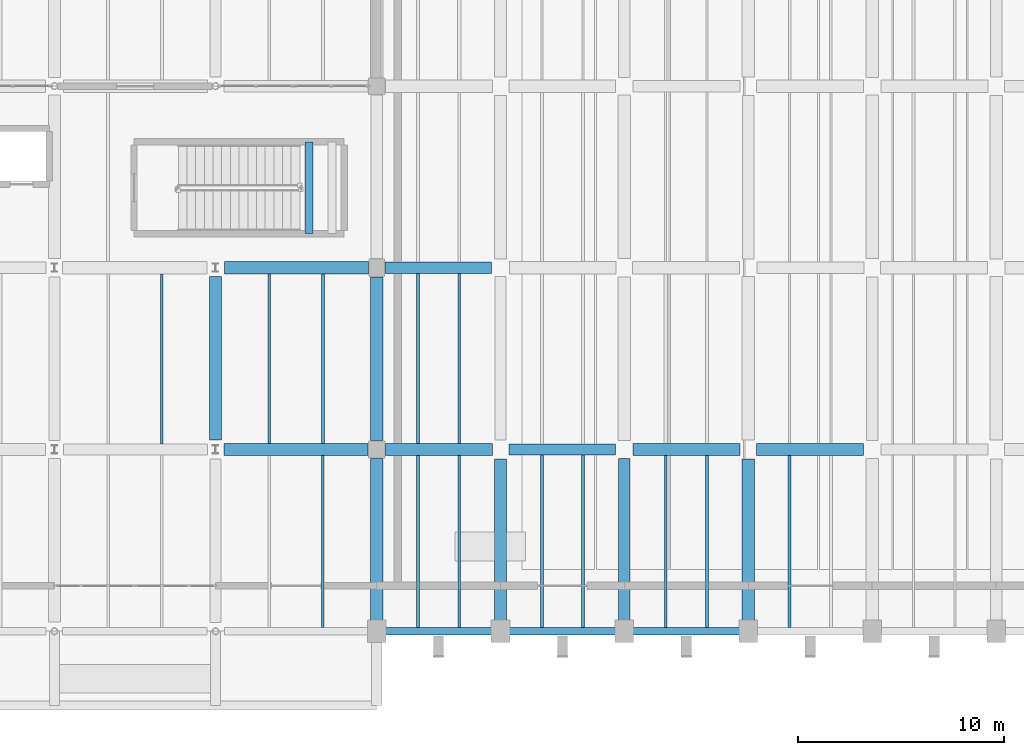
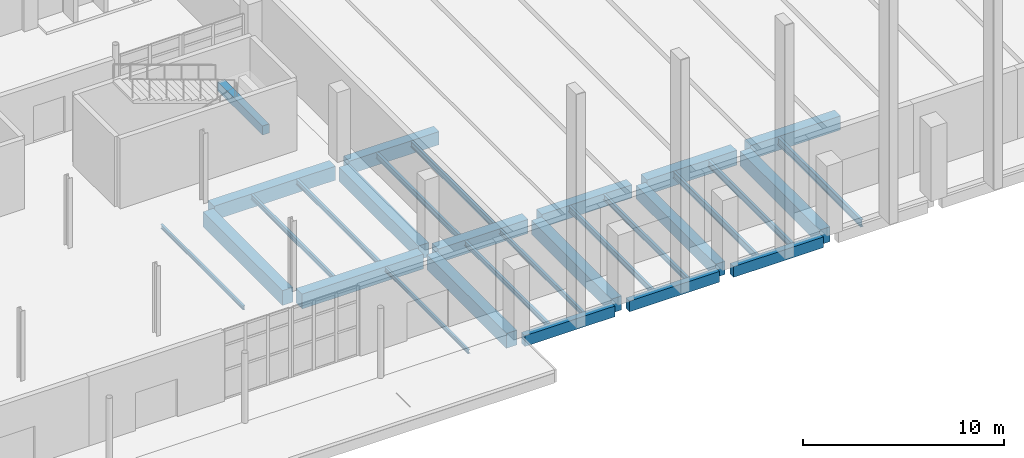
# One storey, part 25 of 76: 30 beams.
"""IFC4 building model written with IfcOpenShell, lengths in metres."""

from ifc_helpers import new_model, si_unit, direction, frame, origin, origin_2d, place, context, subcontext, project, spatial, rectangle, i_section, extrude, material, material_profile, profile_set, type_object, element, save


model = new_model("IFC4")

# Units and contexts
model_context = context("Model", 3, precision=1e-05, world=origin(), true_north=direction((0.0, 1.0)))
body_context = subcontext(model_context, "Body", "Model", "MODEL_VIEW")
ifc_project = project(units=[si_unit("LENGTHUNIT", "METRE"), si_unit("AREAUNIT", "SQUARE_METRE"), si_unit("VOLUMEUNIT", "CUBIC_METRE"), si_unit("PLANEANGLEUNIT", "RADIAN"), si_unit("MASSUNIT", "GRAM", prefix="KILO")], contexts=[model_context])

# Site, building, storey
site_placement = place(None, origin())
site = spatial("IfcSite", under=ifc_project, at=site_placement, CompositionType="ELEMENT")
building_placement = place(site_placement, origin())
building = spatial("IfcBuilding", under=site, at=building_placement, Name="Varnakota Cinema and Media Centre", CompositionType="ELEMENT")
storey_placement = place(building_placement, origin())
storey = spatial("IfcBuildingStorey", under=building, at=storey_placement, Name="L00", CompositionType="ELEMENT", Elevation=0.0)

# Beams
ifc_material_1 = material(Name="Concrete M35", Category="concrete")
ifc_material_profile_1 = material_profile(ifc_material_1, rectangle(XDim=0.39990234375, YDim=0.550048828125, at=origin_2d()), Name="RCB 400x550")
ifc_profile_set_1 = profile_set([ifc_material_profile_1], Name="Concrete M35")
beam_type_1 = type_object("IfcBeamType", Name="BM-RC-400x550", PredefinedType="BEAM", material=ifc_profile_set_1)
beam_1_placement = place(storey_placement, frame((71.719970703125, 19.25, 1.77490234375), z_axis=(0.0, 1.0, 0.0), x_axis=(-1.0, 0.0, 0.0)))
element("IfcBeam", 1, at=beam_1_placement, inside=storey, type_object=beam_type_1, Name="L00 ST-04 landing support beam 1", PredefinedType="BEAM", context=body_context, shape_type="SweptSolid", body=[
    extrude(rectangle(XDim=0.39990234375, YDim=0.550048828125, at=origin_2d()), origin(), (0.0, 0.0, 1.0), 4.449951171875),
])
ifc_material_2 = material(Name="Concrete M35", Category="concrete")
ifc_material_profile_2 = material_profile(ifc_material_2, rectangle(XDim=0.550048828125, YDim=0.800048828125, at=origin_2d()), Name="RCB 550x800")
ifc_profile_set_2 = profile_set([ifc_material_profile_2], Name="Concrete M35")
beam_type_2 = type_object("IfcBeamType", Name="BM-RC-550x800", PredefinedType="BEAM", material=ifc_profile_set_2)
for number, where, z_axis, x_axis, name in (
    (2, (81.39990234375, 8.800048828125, -0.679931640625), (1.0, 0.0, 0.0), (0.0, 1.0, 0.0), "L00 girder L-M/2"),
    (3, (75.39990234375, 17.60009765625, -0.679931640625), (1.0, 0.0, 0.0), (0.0, 1.0, 0.0), "L00 girder K-L/3"),
):
    element("IfcBeam", number, at=place(storey_placement, frame(where, z_axis=z_axis, x_axis=x_axis)), inside=storey, type_object=beam_type_2, Name=name, PredefinedType="BEAM", context=body_context, shape_type="SweptSolid", body=[
        extrude(rectangle(XDim=0.550048828125, YDim=0.800048828125, at=origin_2d()), origin(), (0.0, 0.0, 1.0), 5.175048828125),
    ])
beam_2_placement = place(storey_placement, frame((87.0, 0.449951171875, -0.679931640625), z_axis=(0.0, 1.0, 0.0), x_axis=(-1.0, 0.0, 0.0)))
element("IfcBeam", 4, at=beam_2_placement, inside=storey, type_object=beam_type_2, Name="L00 girder M/1-2", PredefinedType="BEAM", context=body_context, shape_type="SweptSolid", body=[
    extrude(rectangle(XDim=0.550048828125, YDim=0.800048828125, at=origin_2d()), origin(), (0.0, 0.0, 1.0), 7.925048828125),
])
ifc_material_3 = material(Name="Concrete M35", Category="concrete")
ifc_material_profile_3 = material_profile(ifc_material_3, rectangle(XDim=0.60009765625, YDim=0.85009765625, at=origin_2d()), Name="RCB 600x850")
ifc_profile_set_3 = profile_set([ifc_material_profile_3], Name="Concrete M35")
beam_type_3 = type_object("IfcBeamType", Name="BM-RC-600x850", PredefinedType="BEAM", material=ifc_profile_set_3)
for number, where, z_axis, x_axis, name in (
    (5, (75.425048828125, 8.800048828125, -0.705078125), (1.0, 0.0, 0.0), (0.0, 1.0, 0.0), "L00 girder K-L/2"),
    (6, (93.39990234375, 8.800048828125, -0.705078125), (1.0, 0.0, 0.0), (0.0, 1.0, 0.0), "L00 girder N-P/2"),
):
    element("IfcBeam", number, at=place(storey_placement, frame(where, z_axis=z_axis, x_axis=x_axis)), inside=storey, type_object=beam_type_3, Name=name, PredefinedType="BEAM", context=body_context, shape_type="SweptSolid", body=[
        extrude(rectangle(XDim=0.60009765625, YDim=0.85009765625, at=origin_2d()), origin(), (0.0, 0.0, 1.0), 5.175048828125),
    ])
beam_3_placement = place(storey_placement, frame((67.625, 17.60009765625, -0.705078125), z_axis=(1.0, 0.0, 0.0), x_axis=(0.0, 1.0, 0.0)))
element("IfcBeam", 7, at=beam_3_placement, inside=storey, type_object=beam_type_3, Name="L00 girder J-K/3", PredefinedType="BEAM", context=body_context, shape_type="SweptSolid", body=[
    extrude(rectangle(XDim=0.60009765625, YDim=0.85009765625, at=origin_2d()), origin(), (0.0, 0.0, 1.0), 6.97509765625),
])
beam_4_placement = place(storey_placement, frame((75.0, 9.22509765625, -0.705078125), z_axis=(0.0, 1.0, 0.0), x_axis=(-1.0, 0.0, 0.0)))
element("IfcBeam", 8, at=beam_4_placement, inside=storey, type_object=beam_type_3, Name="L00 girder K/2-3", PredefinedType="BEAM", context=body_context, shape_type="SweptSolid", body=[
    extrude(rectangle(XDim=0.60009765625, YDim=0.85009765625, at=origin_2d()), origin(), (0.0, 0.0, 1.0), 7.9248046875),
])
beam_5_placement = place(storey_placement, frame((81.0, 0.425048828125, -0.705078125), z_axis=(0.0, 1.0, 0.0), x_axis=(-1.0, 0.0, 0.0)))
element("IfcBeam", 9, at=beam_5_placement, inside=storey, type_object=beam_type_3, Name="L00 girder L/1-2", PredefinedType="BEAM", context=body_context, shape_type="SweptSolid", body=[
    extrude(rectangle(XDim=0.60009765625, YDim=0.85009765625, at=origin_2d()), origin(), (0.0, 0.0, 1.0), 7.925048828125),
])
ifc_material_4 = material(Name="Concrete M40", Category="concrete")
ifc_material_profile_4 = material_profile(ifc_material_4, rectangle(XDim=0.60009765625, YDim=0.89990234375, at=origin_2d()), Name="RCB 600x900")
ifc_profile_set_4 = profile_set([ifc_material_profile_4], Name="Concrete M40")
beam_type_4 = type_object("IfcBeamType", Name="BM-RC-600x900", PredefinedType="BEAM", material=ifc_profile_set_4)
beam_6_placement = place(storey_placement, frame((67.60009765625, 8.800048828125, -0.72998046875), z_axis=(1.0, 0.0, 0.0), x_axis=(0.0, 1.0, 0.0)))
element("IfcBeam", 10, at=beam_6_placement, inside=storey, type_object=beam_type_4, Name="L00 girder J-K/2", PredefinedType="BEAM", context=body_context, shape_type="SweptSolid", body=[
    extrude(rectangle(XDim=0.60009765625, YDim=0.89990234375, at=origin_2d()), origin(), (0.0, 0.0, 1.0), 6.974853515625),
])
beam_7_placement = place(storey_placement, frame((87.425048828125, 8.800048828125, -0.72998046875), z_axis=(1.0, 0.0, 0.0), x_axis=(0.0, 1.0, 0.0)))
element("IfcBeam", 11, at=beam_7_placement, inside=storey, type_object=beam_type_4, Name="L00 girder M-N/2", PredefinedType="BEAM", context=body_context, shape_type="SweptSolid", body=[
    extrude(rectangle(XDim=0.60009765625, YDim=0.89990234375, at=origin_2d()), origin(), (0.0, 0.0, 1.0), 5.175048828125),
])
for number, where, z_axis, x_axis, name in (
    (12, (67.199951171875, 9.25, -0.72998046875), (0.0, 1.0, 0.0), (-1.0, 0.0, 0.0), "L00 girder J/2-3"),
    (13, (75.0, 0.449951171875, -0.72998046875), (0.0, 1.0, 0.0), (-1.0, 0.0, 0.0), "L00 girder K/1-2"),
    (14, (93.0, 0.425048828125, -0.72998046875), (0.0, 1.0, 0.0), (-1.0, 0.0, 0.0), "L00 girder N/1-2"),
):
    element("IfcBeam", number, at=place(storey_placement, frame(where, z_axis=z_axis, x_axis=x_axis)), inside=storey, type_object=beam_type_4, Name=name, PredefinedType="BEAM", context=body_context, shape_type="SweptSolid", body=[
        extrude(rectangle(XDim=0.60009765625, YDim=0.89990234375, at=origin_2d()), origin(), (0.0, 0.0, 1.0), 7.925048828125),
    ])
ifc_material_5 = material(Name="Concrete M40", Category="concrete")
ifc_material_profile_5 = material_profile(ifc_material_5, rectangle(XDim=0.35009765625, YDim=0.64990234375, at=origin_2d()), Name="RCB 350x650")
ifc_profile_set_5 = profile_set([ifc_material_profile_5], Name="Concrete M40")
beam_type_5 = type_object("IfcBeamType", Name="BM-SP-350x650", PredefinedType="SPANDREL", material=ifc_profile_set_5)
for number, where, z_axis, x_axis, name in (
    (15, (75.39990234375, 0.0, -0.60498046875), (1.0, 0.0, 0.0), (0.0, 1.0, 0.0), "L00 girder K-L/1"),
    (16, (81.425048828125, 0.0, -0.60498046875), (1.0, 0.0, 0.0), (0.0, 1.0, 0.0), "L00 girder L-M/1"),
    (17, (87.39990234375, 0.0, -0.60498046875), (1.0, 0.0, 0.0), (0.0, 1.0, 0.0), "L00 girder M-N/1"),
):
    element("IfcBeam", number, at=place(storey_placement, frame(where, z_axis=z_axis, x_axis=x_axis)), inside=storey, type_object=beam_type_5, Name=name, PredefinedType="SPANDREL", context=body_context, shape_type="SweptSolid", body=[
        extrude(rectangle(XDim=0.35009765625, YDim=0.64990234375, at=origin_2d()), origin(), (0.0, 0.0, 1.0), 5.175048828125),
    ])
ifc_material_6 = material(Name="Structural steel Grade 350 (E350)", Category="steel")
ifc_material_profile_6 = material_profile(ifc_material_6, i_section(OverallWidth=0.125, OverallDepth=0.25, WebThickness=0.0068359375, FlangeThickness=0.012451171875, FilletRadius=0.012939453125, at=origin_2d()), Name="ISMB 250")
ifc_profile_set_6 = profile_set([ifc_material_profile_6], Name="Structural steel Grade 350 (E350)")
beam_type_6 = type_object("IfcBeamType", Name="BM-ST-ISMB250", PredefinedType="JOIST", material=ifc_profile_set_6)
beam_8_placement = place(storey_placement, frame((64.60009765625, 9.074951171875, -0.405029296875), z_axis=(0.0, 1.0, 0.0), x_axis=(-1.0, 0.0, 0.0)))
element("IfcBeam", 18, at=beam_8_placement, inside=storey, type_object=beam_type_6, Name="L00 steel joist H-J/2-3 #2", PredefinedType="JOIST", context=body_context, shape_type="SweptSolid", body=[
    extrude(i_section(OverallWidth=0.125, OverallDepth=0.25, WebThickness=0.0068359375, FlangeThickness=0.012451171875, FilletRadius=0.012939453125, at=origin_2d()), origin(), (0.0, 0.0, 1.0), 8.22509765625),
])
beam_9_placement = place(storey_placement, frame((72.39990234375, 0.175048828125, -0.405029296875), z_axis=(0.0, 1.0, 0.0), x_axis=(-1.0, 0.0, 0.0)))
element("IfcBeam", 19, at=beam_9_placement, inside=storey, type_object=beam_type_6, Name="L00 steel joist J-K/1-2 #2", PredefinedType="JOIST", context=body_context, shape_type="SweptSolid", body=[
    extrude(i_section(OverallWidth=0.125, OverallDepth=0.25, WebThickness=0.0068359375, FlangeThickness=0.012451171875, FilletRadius=0.012939453125, at=origin_2d()), origin(), (0.0, 0.0, 1.0), 8.324951171875),
])
ifc_material_7 = material(Name="Structural steel Grade 350 (E350)", Category="steel")
ifc_material_profile_7 = material_profile(ifc_material_7, i_section(OverallWidth=0.139892578125, OverallDepth=0.300048828125, WebThickness=0.0078125, FlangeThickness=0.01318359375, FilletRadius=0.013916015625, at=origin_2d()), Name="ISMB 300")
ifc_profile_set_7 = profile_set([ifc_material_profile_7], Name="Structural steel Grade 350 (E350)")
beam_type_7 = type_object("IfcBeamType", Name="BM-ST-ISMB300", PredefinedType="JOIST", material=ifc_profile_set_7)
for number, where, z_axis, x_axis, name in (
    (20, (69.800048828125, 9.10009765625, -0.429931640625), (0.0, 1.0, 0.0), (-1.0, 0.0, 0.0), "L00 steel joist J-K/2-3 #1"),
    (21, (72.39990234375, 9.10009765625, -0.429931640625), (0.0, 1.0, 0.0), (-1.0, 0.0, 0.0), "L00 steel joist J-K/2-3 #2"),
):
    element("IfcBeam", number, at=place(storey_placement, frame(where, z_axis=z_axis, x_axis=x_axis)), inside=storey, type_object=beam_type_7, Name=name, PredefinedType="JOIST", context=body_context, shape_type="SweptSolid", body=[
        extrude(i_section(OverallWidth=0.139892578125, OverallDepth=0.300048828125, WebThickness=0.0078125, FlangeThickness=0.01318359375, FilletRadius=0.013916015625, at=origin_2d()), origin(), (0.0, 0.0, 1.0), 8.199951171875),
    ])
for number, where, z_axis, x_axis, name in (
    (22, (77.0, 0.175048828125, -0.429931640625), (0.0, 1.0, 0.0), (-1.0, 0.0, 0.0), "L00 steel joist K-L/1-2 #1"),
    (23, (79.0, 0.175048828125, -0.429931640625), (0.0, 1.0, 0.0), (-1.0, 0.0, 0.0), "L00 steel joist K-L/1-2 #2"),
):
    element("IfcBeam", number, at=place(storey_placement, frame(where, z_axis=z_axis, x_axis=x_axis)), inside=storey, type_object=beam_type_7, Name=name, PredefinedType="JOIST", context=body_context, shape_type="SweptSolid", body=[
        extrude(i_section(OverallWidth=0.139892578125, OverallDepth=0.300048828125, WebThickness=0.0078125, FlangeThickness=0.01318359375, FilletRadius=0.013916015625, at=origin_2d()), origin(), (0.0, 0.0, 1.0), 8.324951171875),
    ])
ifc_material_8 = material(Name="Structural steel Grade 350 (E350)", Category="steel")
ifc_material_profile_8 = material_profile(ifc_material_8, i_section(OverallWidth=0.139892578125, OverallDepth=0.35009765625, WebThickness=0.008056640625, FlangeThickness=0.01416015625, FilletRadius=0.013916015625, at=origin_2d()), Name="ISMB 350")
ifc_profile_set_8 = profile_set([ifc_material_profile_8], Name="Structural steel Grade 350 (E350)")
beam_type_8 = type_object("IfcBeamType", Name="BM-ST-ISMB350", PredefinedType="JOIST", material=ifc_profile_set_8)
for number, where, z_axis, x_axis, name in (
    (24, (77.0, 9.10009765625, -0.455078125), (0.0, 1.0, 0.0), (-1.0, 0.0, 0.0), "L00 steel joist K-L/2-3 #1"),
    (25, (79.0, 9.10009765625, -0.455078125), (0.0, 1.0, 0.0), (-1.0, 0.0, 0.0), "L00 steel joist K-L/2-3 #2"),
):
    element("IfcBeam", number, at=place(storey_placement, frame(where, z_axis=z_axis, x_axis=x_axis)), inside=storey, type_object=beam_type_8, Name=name, PredefinedType="JOIST", context=body_context, shape_type="SweptSolid", body=[
        extrude(i_section(OverallWidth=0.139892578125, OverallDepth=0.35009765625, WebThickness=0.008056640625, FlangeThickness=0.01416015625, FilletRadius=0.013916015625, at=origin_2d()), origin(), (0.0, 0.0, 1.0), 8.224853515625),
    ])
for number, where, z_axis, x_axis, name in (
    (26, (83.0, 0.175048828125, -0.455078125), (0.0, 1.0, 0.0), (-1.0, 0.0, 0.0), "L00 steel joist L-M/1-2 #1"),
    (27, (85.0, 0.175048828125, -0.455078125), (0.0, 1.0, 0.0), (-1.0, 0.0, 0.0), "L00 steel joist L-M/1-2 #2"),
):
    element("IfcBeam", number, at=place(storey_placement, frame(where, z_axis=z_axis, x_axis=x_axis)), inside=storey, type_object=beam_type_8, Name=name, PredefinedType="JOIST", context=body_context, shape_type="SweptSolid", body=[
        extrude(i_section(OverallWidth=0.139892578125, OverallDepth=0.35009765625, WebThickness=0.008056640625, FlangeThickness=0.01416015625, FilletRadius=0.013916015625, at=origin_2d()), origin(), (0.0, 0.0, 1.0), 8.349853515625),
    ])
ifc_material_9 = material(Name="Structural steel Grade 350 (E350)", Category="steel")
ifc_material_profile_9 = material_profile(ifc_material_9, i_section(OverallWidth=0.139892578125, OverallDepth=0.39990234375, WebThickness=0.0087890625, FlangeThickness=0.01611328125, FilletRadius=0.013916015625, at=origin_2d()), Name="ISMB 400")
ifc_profile_set_9 = profile_set([ifc_material_profile_9], Name="Structural steel Grade 350 (E350)")
beam_type_9 = type_object("IfcBeamType", Name="BM-ST-ISMB400", PredefinedType="JOIST", material=ifc_profile_set_9)
for number, where, z_axis, x_axis, name in (
    (28, (89.0, 0.175048828125, -0.47998046875), (0.0, 1.0, 0.0), (-1.0, 0.0, 0.0), "L00 steel joist M-N/1-2 #1"),
    (29, (91.0, 0.175048828125, -0.47998046875), (0.0, 1.0, 0.0), (-1.0, 0.0, 0.0), "L00 steel joist M-N/1-2 #2"),
):
    element("IfcBeam", number, at=place(storey_placement, frame(where, z_axis=z_axis, x_axis=x_axis)), inside=storey, type_object=beam_type_9, Name=name, PredefinedType="JOIST", context=body_context, shape_type="SweptSolid", body=[
        extrude(i_section(OverallWidth=0.139892578125, OverallDepth=0.39990234375, WebThickness=0.0087890625, FlangeThickness=0.01611328125, FilletRadius=0.013916015625, at=origin_2d()), origin(), (0.0, 0.0, 1.0), 8.324951171875),
    ])
ifc_material_10 = material(Name="Structural steel Grade 350 (E350)", Category="steel")
ifc_material_profile_10 = material_profile(ifc_material_10, i_section(OverallWidth=0.14990234375, OverallDepth=0.449951171875, WebThickness=0.009521484375, FlangeThickness=0.017333984375, FilletRadius=0.014892578125, at=origin_2d()), Name="ISMB 450")
ifc_profile_set_10 = profile_set([ifc_material_profile_10], Name="Structural steel Grade 350 (E350)")
beam_type_10 = type_object("IfcBeamType", Name="BM-ST-ISMB450", PredefinedType="BEAM", material=ifc_profile_set_10)
beam_10_placement = place(storey_placement, frame((95.0, 0.175048828125, -0.5048828125), z_axis=(0.0, 1.0, 0.0), x_axis=(-1.0, 0.0, 0.0)))
element("IfcBeam", 30, at=beam_10_placement, inside=storey, type_object=beam_type_10, Name="L00 steel joist N-P/1-2 #1", PredefinedType="BEAM", context=body_context, shape_type="SweptSolid", body=[
    extrude(i_section(OverallWidth=0.14990234375, OverallDepth=0.449951171875, WebThickness=0.009521484375, FlangeThickness=0.017333984375, FilletRadius=0.014892578125, at=origin_2d()), origin(), (0.0, 0.0, 1.0), 8.324951171875),
])

save(model, "model.ifc")
